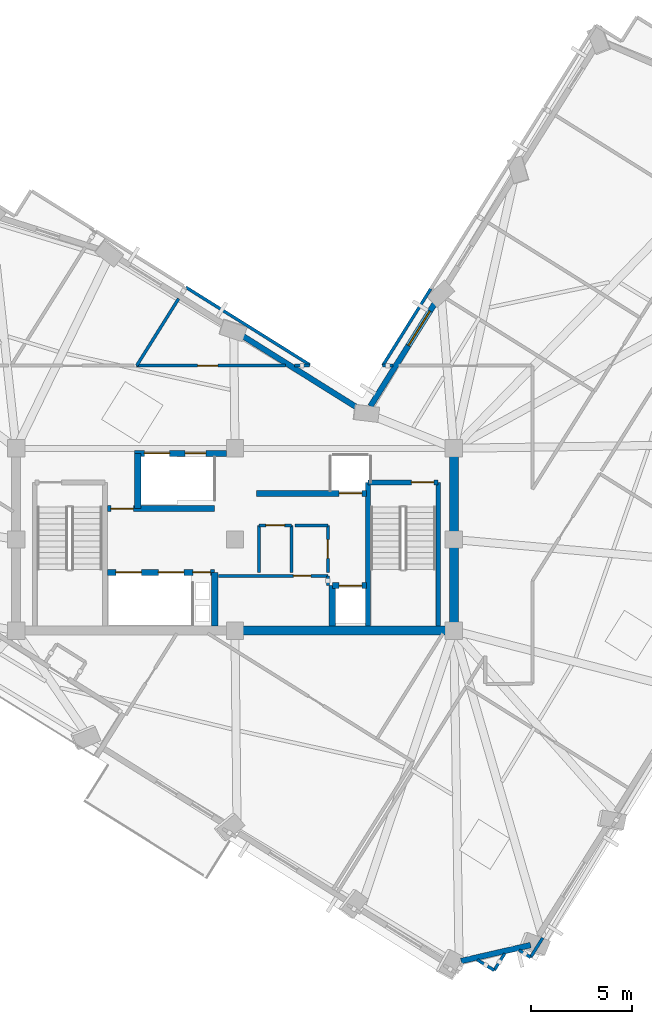
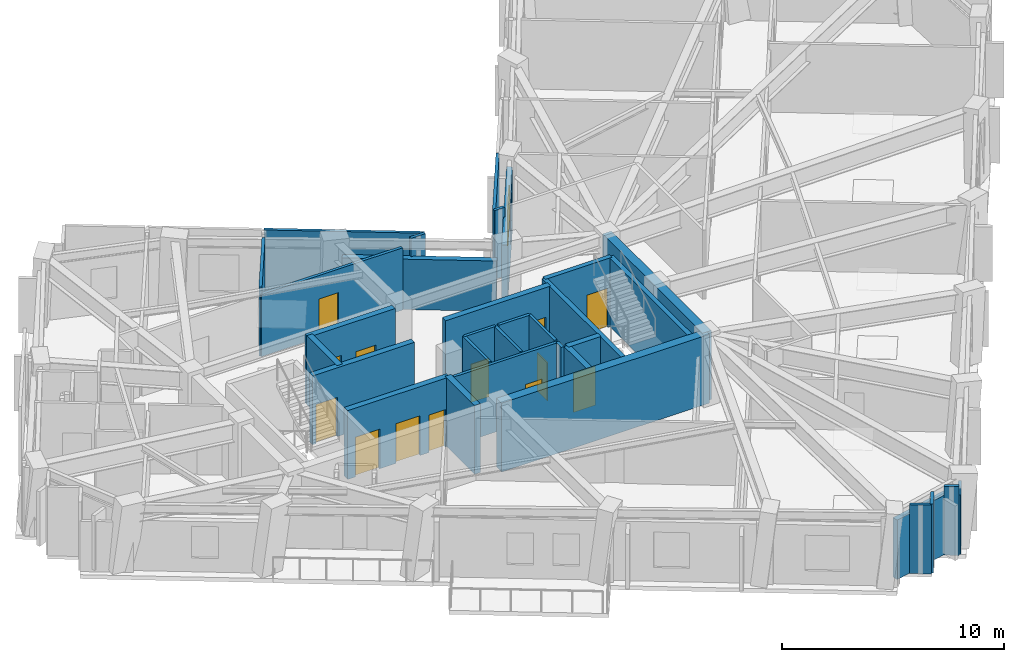
# One storey, part 6 of 12: 33 walls, 13 doors, 1 window, 14 openings.
"""IFC4 building model written with IfcOpenShell, lengths in metres."""

from ifc_helpers import new_model, si_unit, direction, frame, frame_2d, origin, place, context, subcontext, project, spatial, rectangle, extrude, material, layer, layer_set, type_object, element, fill, save


model = new_model("IFC4")

# Units and contexts
model_context = context("Model", 3, precision=1e-05, world=origin(), true_north=direction((0.0, 1.0)))
body_context = subcontext(model_context, "Body", "Model", "MODEL_VIEW")
ifc_project = project(units=[si_unit("LENGTHUNIT", "METRE"), si_unit("AREAUNIT", "SQUARE_METRE"), si_unit("VOLUMEUNIT", "CUBIC_METRE"), si_unit("PLANEANGLEUNIT", "RADIAN"), si_unit("MASSUNIT", "GRAM", prefix="KILO")], contexts=[model_context])

# Site, building, storey
site_placement = place(None, origin())
site = spatial("IfcSite", under=ifc_project, at=site_placement, CompositionType="ELEMENT")
building_placement = place(site_placement, origin())
building = spatial("IfcBuilding", under=site, at=building_placement, Name="Gaonmaruhae Medical Tower", CompositionType="ELEMENT")
storey_placement = place(building_placement, frame((0.0, 0.0, 272.60009765625)))
storey = spatial("IfcBuildingStorey", under=building, at=storey_placement, Name="L65", CompositionType="ELEMENT", Elevation=272.60009765625)

# Walls
ifc_material_1 = material(Name="Concrete C50/60", Category="concrete")
ifc_layer_1 = layer(ifc_material_1, 0.449951171875)
ifc_layer_set_1 = layer_set([ifc_layer_1], Name="Concrete C50/60")
wall_type_1 = type_object("IfcWallType", Name="CW-450 Upper Core Shear Wall", PredefinedType="SHEAR", material=ifc_layer_set_1)
wall_1_placement = place(storey_placement, frame((24.800048828125, 7.800048828125, 0.0), z_axis=(0.0, 0.0, 1.0), x_axis=(1.0, 0.0, 0.0)))
element("IfcWall", 1, at=wall_1_placement, inside=storey, type_object=wall_type_1, Name="L65 Core Shear Wall CSW-S2", PredefinedType="SHEAR", context=body_context, shape_type="SweptSolid", body=[
    extrude(rectangle(XDim=10.800048828125, YDim=0.449951171875, at=frame_2d((5.39990234375, 0.0))), origin(), (0.0, 0.0, 1.0), 3.77978515625),
])
wall_2_placement = place(storey_placement, frame((35.60009765625, 7.800048828125, 0.0), z_axis=(0.0, 0.0, 1.0), x_axis=(0.0, 1.0, 0.0)))
element("IfcWall", 2, at=wall_2_placement, inside=storey, type_object=wall_type_1, Name="L65 Core Shear Wall CSW-E1", PredefinedType="SHEAR", context=body_context, shape_type="SweptSolid", body=[
    extrude(rectangle(XDim=9.0, YDim=0.449951171875, at=frame_2d((4.5, 0.0))), origin(), (0.0, 0.0, 1.0), 3.77978515625),
])

# Wall, opening, window
ifc_material_2 = material(Name="Precast concrete C45/55", Category="concrete")
ifc_layer_2 = layer(ifc_material_2, 0.280029296875)
ifc_layer_set_2 = layer_set([ifc_layer_2], Name="Precast concrete C45/55")
wall_type_2 = type_object("IfcWallType", Name="EW-280 Upper Precast Masonry-Frame Facade Wall", PredefinedType="SOLIDWALL", material=ifc_layer_set_2)
wall_3_placement = place(storey_placement, frame((31.483642578125, 18.87548828125, 0.0), z_axis=(0.0, 0.0, 1.0), x_axis=(0.530640225781, 0.847597163034, 0.0)))
wall_3 = element("IfcWall", 3, at=wall_3_placement, inside=storey, type_object=wall_type_2, Name="L65 Precast Masonry-Frame Wall EN02-KN01", PredefinedType="SOLIDWALL", context=body_context, shape_type="SweptSolid", body=[
    extrude(rectangle(XDim=6.158203125, YDim=0.280029296875, at=frame_2d((3.0791015625, 0.0))), origin(), (0.0, 0.0, 1.0), 3.264892578125),
])
opening_1_placement = place(wall_3_placement, frame((3.538818359375, 0.0, 0.75)))
opening_1 = element("IfcOpeningElement", 4, at=opening_1_placement, cuts=wall_3, Name="Opening WN-02", PredefinedType="OPENING", context=body_context, shape_type="SweptSolid", body=[
    extrude(rectangle(XDim=2.0, YDim=1.949951171875, at=frame_2d((1.0, 0.97509765625))), frame((0.0, 0.14990234375, 0.0), z_axis=(0.0, -1.0, 0.0), x_axis=(1.0, 0.0, 0.0)), (0.0, 0.0, 1.0), 0.300048828125),
])
ifc_material_3 = material(Name="Anodised aluminium and Low-E double glazing", Category="aluminium")
window_type = type_object("IfcWindowType", Name="WN-02 Double-Bed Ward Punched Window 2000x1950", PartitioningType="SINGLE_PANEL", PredefinedType="WINDOW", material=ifc_material_3)
window_placement = place(opening_1_placement, origin())
window = element("IfcWindow", 5, at=window_placement, inside=storey, type_object=window_type, Name="L65 Modular Facade Window EN02", OverallHeight=1.949951171875, OverallWidth=2.0, PartitioningType="SINGLE_PANEL", PredefinedType="WINDOW", context=body_context, shape_type="SweptSolid", body=[
    extrude(rectangle(XDim=2.0, YDim=1.949951171875, at=frame_2d((1.0, 0.97509765625))), frame((0.0, 0.030029296875, 0.0), z_axis=(0.0, -1.0, 0.0), x_axis=(1.0, 0.0, 0.0)), (0.0, 0.0, 1.0), 0.06005859375),
])
fill(opening_1, window)

# Walls
wall_4_placement = place(storey_placement, frame((25.080078125, 22.406494140625, 0.0), z_axis=(0.0, 0.0, 1.0), x_axis=(0.847580141129, -0.530667414077, 0.0)))
element("IfcWall", 6, at=wall_4_placement, inside=storey, type_object=wall_type_2, Name="L65 Precast Masonry-Frame Wall KN01-NE01", PredefinedType="SOLIDWALL", context=body_context, shape_type="SweptSolid", body=[
    extrude(rectangle(XDim=6.9580078125, YDim=0.280029296875, at=frame_2d((3.47900390625, 0.0))), origin(), (0.0, 0.0, 1.0), 2.764892578125),
])
wall_5_placement = place(storey_placement, frame((39.389892578125, -7.716064453125, 0.0), z_axis=(0.0, 0.0, 1.0), x_axis=(-0.974576692361, -0.224054169135, 0.0)))
element("IfcWall", 7, at=wall_5_placement, inside=storey, type_object=wall_type_2, Name="L65 Precast Masonry-Frame Wall W06-S01", PredefinedType="SOLIDWALL", context=body_context, shape_type="SweptSolid", body=[
    extrude(rectangle(XDim=3.520751953125, YDim=0.280029296875, at=frame_2d((1.76025390625, 0.0))), origin(), (0.0, 0.0, 1.0), 3.264892578125),
])

# Wall, opening, door
ifc_material_4 = material(Name="Gypsum board partition", Category="gypsum")
ifc_layer_3 = layer(ifc_material_4, 0.14990234375)
ifc_layer_set_3 = layer_set([ifc_layer_3], Name="Gypsum board partition")
wall_type_3 = type_object("IfcWallType", Name="PW-150 Rated Clinical Corridor Partition", PredefinedType="PARTITIONING", material=ifc_layer_set_3)
wall_6_placement = place(storey_placement, frame((23.97998046875, 10.5, 0.0), z_axis=(0.0, 0.0, 1.0), x_axis=(1.0, 0.0, 0.0)))
wall_6 = element("IfcWall", 8, at=wall_6_placement, inside=storey, type_object=wall_type_3, Name="L65 Interior Partition L65-RCL1-1", PredefinedType="PARTITIONING", context=body_context, shape_type="SweptSolid", body=[
    extrude(rectangle(XDim=5.39990234375, YDim=0.14990234375, at=frame_2d((2.699951171875, 0.0))), origin(), (0.0, 0.0, 1.0), 3.77978515625),
])
opening_2_placement = place(wall_6_placement, frame((3.702880859375, 0.0, 0.0)))
opening_2 = element("IfcOpeningElement", 9, at=opening_2_placement, cuts=wall_6, Name="Opening AD-01", PredefinedType="OPENING", context=body_context, shape_type="SweptSolid", body=[
    extrude(rectangle(XDim=0.860107421875, YDim=2.06005859375, at=frame_2d((0.43017578125, 1.030029296875))), frame((0.0, 0.0849609375, 0.0), z_axis=(0.0, -1.0, 0.0), x_axis=(1.0, 0.0, 0.0)), (0.0, 0.0, 1.0), 0.169921875),
])
ifc_material_5 = material(Name="Powder-coated steel access door", Category="steel")
door_type_1 = type_object("IfcDoorType", Name="AD-01 Riser & Closet Access Fire Door 860x2060", OperationType="NOTDEFINED", PredefinedType="DOOR", material=ifc_material_5)
door_1_placement = place(opening_2_placement, origin())
door_1 = element("IfcDoor", 10, at=door_1_placement, inside=storey, type_object=door_type_1, Name="L65 Biomedical Infusion Preparation Room Sliding Door", OperationType="SLIDING_TO_LEFT", OverallHeight=2.06005859375, OverallWidth=0.860107421875, PredefinedType="DOOR", context=body_context, shape_type="SweptSolid", body=[
    extrude(rectangle(XDim=0.860107421875, YDim=2.06005859375, at=frame_2d((0.43017578125, 1.030029296875))), frame((0.0, 0.02490234375, 0.0), z_axis=(0.0, -1.0, 0.0), x_axis=(1.0, 0.0, 0.0)), (0.0, 0.0, 1.0), 0.050048828125),
])
fill(opening_2, door_1)

# Walls
wall_7_placement = place(storey_placement, frame((29.3798828125, 10.5, 0.0), z_axis=(0.0, 0.0, 1.0), x_axis=(0.0, -1.0, 0.0)))
element("IfcWall", 11, at=wall_7_placement, inside=storey, type_object=wall_type_3, Name="L65 Interior Partition L65-RCL1-2", PredefinedType="PARTITIONING", context=body_context, shape_type="SweptSolid", body=[
    extrude(rectangle(XDim=0.47998046875, YDim=0.14990234375, at=frame_2d((0.239990234375, 0.0))), origin(), (0.0, 0.0, 1.0), 3.77978515625),
])
wall_8_placement = place(storey_placement, frame((25.97998046875, 10.659912109375, 0.0), z_axis=(0.0, 0.0, 1.0), x_axis=(0.0, 1.0, 0.0)))
element("IfcWall", 12, at=wall_8_placement, inside=storey, type_object=wall_type_3, Name="L65 Interior Partition L65-CS1-3", PredefinedType="PARTITIONING", context=body_context, shape_type="SweptSolid", body=[
    extrude(rectangle(XDim=2.340087890625, YDim=0.14990234375, at=frame_2d((1.169921875, 0.0))), origin(), (0.0, 0.0, 1.0), 3.77978515625),
])

# Wall, opening, door
wall_9_placement = place(storey_placement, frame((25.97998046875, 13.0, 0.0), z_axis=(0.0, 0.0, 1.0), x_axis=(1.0, 0.0, 0.0)))
wall_9 = element("IfcWall", 13, at=wall_9_placement, inside=storey, type_object=wall_type_3, Name="L65 Interior Partition L65-CS1-4", PredefinedType="PARTITIONING", context=body_context, shape_type="SweptSolid", body=[
    extrude(rectangle(XDim=1.6201171875, YDim=0.14990234375, at=frame_2d((0.81005859375, 0.0))), origin(), (0.0, 0.0, 1.0), 3.77978515625),
])
opening_3_placement = place(wall_9_placement, frame((0.35009765625, 0.0, 0.0)))
opening_3 = element("IfcOpeningElement", 14, at=opening_3_placement, cuts=wall_9, Name="Opening UD-01", PredefinedType="OPENING", context=body_context, shape_type="SweptSolid", body=[
    extrude(rectangle(XDim=0.919921875, YDim=2.10009765625, at=frame_2d((0.4599609375, 1.050048828125))), frame((0.0, 0.0849609375, 0.0), z_axis=(0.0, -1.0, 0.0), x_axis=(1.0, 0.0, 0.0)), (0.0, 0.0, 1.0), 0.169921875),
])
ifc_material_6 = material(Name="Powder-coated steel utility door", Category="steel")
door_type_2 = type_object("IfcDoorType", Name="UD-01 Toilet, Utility & Housekeeping Door 920x2100", OperationType="NOTDEFINED", PredefinedType="DOOR", material=ifc_material_6)
door_2_placement = place(opening_3_placement, origin())
door_2 = element("IfcDoor", 15, at=door_2_placement, inside=storey, type_object=door_type_2, Name="L65 Accessible Staff Toilet Door", OperationType="SINGLE_SWING_LEFT", OverallHeight=2.10009765625, OverallWidth=0.919921875, PredefinedType="DOOR", context=body_context, shape_type="SweptSolid", body=[
    extrude(rectangle(XDim=0.919921875, YDim=2.10009765625, at=frame_2d((0.4599609375, 1.050048828125))), frame((0.0, 0.02490234375, 0.0), z_axis=(0.0, -1.0, 0.0), x_axis=(1.0, 0.0, 0.0)), (0.0, 0.0, 1.0), 0.050048828125),
])
fill(opening_3, door_2)

# Walls
wall_10_placement = place(storey_placement, frame((27.60009765625, 13.0, 0.0), z_axis=(0.0, 0.0, 1.0), x_axis=(0.0, -1.0, 0.0)))
element("IfcWall", 16, at=wall_10_placement, inside=storey, type_object=wall_type_3, Name="L65 Interior Partition L65-CS1-5", PredefinedType="PARTITIONING", context=body_context, shape_type="SweptSolid", body=[
    extrude(rectangle(XDim=2.340087890625, YDim=0.14990234375, at=frame_2d((1.169921875, 0.0))), origin(), (0.0, 0.0, 1.0), 3.77978515625),
])
wall_11_placement = place(storey_placement, frame((27.760009765625, 13.0, 0.0), z_axis=(0.0, 0.0, 1.0), x_axis=(1.0, 0.0, 0.0)))
element("IfcWall", 17, at=wall_11_placement, inside=storey, type_object=wall_type_3, Name="L65 Interior Partition L65-CS2-6", PredefinedType="PARTITIONING", context=body_context, shape_type="SweptSolid", body=[
    extrude(rectangle(XDim=1.619873046875, YDim=0.14990234375, at=frame_2d((0.81005859375, 0.0))), origin(), (0.0, 0.0, 1.0), 3.77978515625),
])

# Wall, opening, door
wall_12_placement = place(storey_placement, frame((29.3798828125, 13.0, 0.0), z_axis=(0.0, 0.0, 1.0), x_axis=(0.0, -1.0, 0.0)))
wall_12 = element("IfcWall", 18, at=wall_12_placement, inside=storey, type_object=wall_type_3, Name="L65 Interior Partition L65-CS2-7", PredefinedType="PARTITIONING", context=body_context, shape_type="SweptSolid", body=[
    extrude(rectangle(XDim=2.340087890625, YDim=0.14990234375, at=frame_2d((1.169921875, 0.0))), origin(), (0.0, 0.0, 1.0), 3.77978515625),
])
opening_4_placement = place(wall_12_placement, frame((0.7099609375, 0.0, 0.0)))
opening_4 = element("IfcOpeningElement", 19, at=opening_4_placement, cuts=wall_12, Name="Opening UD-01", PredefinedType="OPENING", context=body_context, shape_type="SweptSolid", body=[
    extrude(rectangle(XDim=0.919921875, YDim=2.10009765625, at=frame_2d((0.4599609375, 1.050048828125))), frame((0.0, 0.0849609375, 0.0), z_axis=(0.0, -1.0, 0.0), x_axis=(1.0, 0.0, 0.0)), (0.0, 0.0, 1.0), 0.169921875),
])
door_3_placement = place(opening_4_placement, origin())
door_3 = element("IfcDoor", 20, at=door_3_placement, inside=storey, type_object=door_type_2, Name="L65 Biomedical Telemetry Closet Door", OperationType="SINGLE_SWING_RIGHT", OverallHeight=2.10009765625, OverallWidth=0.919921875, PredefinedType="DOOR", context=body_context, shape_type="SweptSolid", body=[
    extrude(rectangle(XDim=0.919921875, YDim=2.10009765625, at=frame_2d((0.4599609375, 1.050048828125))), frame((0.0, 0.02490234375, 0.0), z_axis=(0.0, -1.0, 0.0), x_axis=(1.0, 0.0, 0.0)), (0.0, 0.0, 1.0), 0.050048828125),
])
fill(opening_4, door_3)

# Walls
wall_13_placement = place(storey_placement, frame((37.591064453125, -8.964111328125, 0.0), z_axis=(0.0, 0.0, 1.0), x_axis=(-0.847567548706, 0.530687526122, 0.0)))
element("IfcWall", 21, at=wall_13_placement, inside=storey, type_object=wall_type_3, Name="L65 Interior Partition L65-SUP01-8", PredefinedType="PARTITIONING", context=body_context, shape_type="SweptSolid", body=[
    extrude(rectangle(XDim=0.98779296875, YDim=0.14990234375, at=frame_2d((0.493896484375, 0.0))), origin(), (0.0, 0.0, 1.0), 3.77978515625),
])
wall_14_placement = place(storey_placement, frame((39.986083984375, -7.362060546875, 0.0), z_axis=(0.0, 0.0, 1.0), x_axis=(-0.530620753408, -0.847609353448, 0.0)))
element("IfcWall", 22, at=wall_14_placement, inside=storey, type_object=wall_type_3, Name="L65 Interior Partition L65-SUP01-15", PredefinedType="PARTITIONING", context=body_context, shape_type="SweptSolid", body=[
    extrude(rectangle(XDim=1.129150390625, YDim=0.14990234375, at=frame_2d((0.564453125, 0.0))), origin(), (0.0, 0.0, 1.0), 3.264892578125),
])
wall_15_placement = place(storey_placement, frame((39.386962890625, -8.319091796875, 0.0), z_axis=(0.0, 0.0, 1.0), x_axis=(-0.847792766563, 0.530327658117, 0.0)))
element("IfcWall", 23, at=wall_15_placement, inside=storey, type_object=wall_type_3, Name="L65 Interior Partition L65-SUP01-16", PredefinedType="PARTITIONING", context=body_context, shape_type="SweptSolid", body=[
    extrude(rectangle(XDim=0.66748046875, YDim=0.14990234375, at=frame_2d((0.333740234375, 0.0))), origin(), (0.0, 0.0, 1.0), 3.77978515625),
])
wall_16_placement = place(storey_placement, frame((38.114990234375, -8.126953125, 0.0), z_axis=(0.0, 0.0, 1.0), x_axis=(-0.530509926955, -0.847678722986, 0.0)))
element("IfcWall", 24, at=wall_16_placement, inside=storey, type_object=wall_type_3, Name="L65 Interior Partition L65-SUP01-17", PredefinedType="PARTITIONING", context=body_context, shape_type="SweptSolid", body=[
    extrude(rectangle(XDim=0.987548828125, YDim=0.14990234375, at=frame_2d((0.49365234375, 0.0))), origin(), (0.0, 0.0, 1.0), 3.77978515625),
])
wall_17_placement = place(storey_placement, frame((32.60302734375, 20.8798828125, 0.0), z_axis=(0.0, 0.0, 1.0), x_axis=(-1.0, 0.0, 0.0)))
element("IfcWall", 25, at=wall_17_placement, inside=storey, type_object=wall_type_3, Name="L65 Interior Partition L65-IE01-58", PredefinedType="PARTITIONING", context=body_context, shape_type="SweptSolid", body=[
    extrude(rectangle(XDim=0.512939453125, YDim=0.14990234375, at=frame_2d((0.25634765625, 0.0))), origin(), (0.0, 0.0, 1.0), 3.77978515625),
])
wall_18_placement = place(storey_placement, frame((32.090087890625, 20.8798828125, 0.0), z_axis=(0.0, 0.0, 1.0), x_axis=(0.530489684634, 0.847691391072, 0.0)))
element("IfcWall", 26, at=wall_18_placement, inside=storey, type_object=wall_type_3, Name="L65 Interior Partition L65-IE01-59", PredefinedType="PARTITIONING", context=body_context, shape_type="SweptSolid", body=[
    extrude(rectangle(XDim=4.470947265625, YDim=0.14990234375, at=frame_2d((2.2353515625, 0.0))), origin(), (0.0, 0.0, 1.0), 3.77978515625),
])
wall_19_placement = place(storey_placement, frame((28.47900390625, 20.8798828125, 0.0), z_axis=(0.0, 0.0, 1.0), x_axis=(-1.0, 0.0, 0.0)))
element("IfcWall", 27, at=wall_19_placement, inside=storey, type_object=wall_type_3, Name="L65 Interior Partition L65-IN01-63", PredefinedType="PARTITIONING", context=body_context, shape_type="SweptSolid", body=[
    extrude(rectangle(XDim=0.743896484375, YDim=0.14990234375, at=frame_2d((0.3720703125, 0.0))), origin(), (0.0, 0.0, 1.0), 3.77978515625),
])

# Wall, opening, door
wall_20_placement = place(storey_placement, frame((27.301025390625, 20.8798828125, 0.0), z_axis=(0.0, 0.0, 1.0), x_axis=(-1.0, 0.0, 0.0)))
wall_20 = element("IfcWall", 28, at=wall_20_placement, inside=storey, type_object=wall_type_3, Name="L65 Interior Partition L65-IN01-64", PredefinedType="PARTITIONING", context=body_context, shape_type="SweptSolid", body=[
    extrude(rectangle(XDim=7.35205078125, YDim=0.14990234375, at=frame_2d((3.676025390625, 0.0))), origin(), (0.0, 0.0, 1.0), 3.414794921875),
])
opening_5_placement = place(wall_20_placement, frame((3.349853515625, 0.0, 0.0)))
opening_5 = element("IfcOpeningElement", 29, at=opening_5_placement, cuts=wall_20, Name="Opening CD-01", PredefinedType="OPENING", context=body_context, shape_type="SweptSolid", body=[
    extrude(rectangle(XDim=1.0, YDim=2.1201171875, at=frame_2d((0.5, 1.06005859375))), frame((0.0, 0.0849609375, 0.0), z_axis=(0.0, -1.0, 0.0), x_axis=(1.0, 0.0, 0.0)), (0.0, 0.0, 1.0), 0.169921875),
])
ifc_material_7 = material(Name="Antimicrobial laminate timber fire door", Category="wood")
door_type_3 = type_object("IfcDoorType", Name="CD-01 Consultation & Physician Office Door 1000x2120", OperationType="NOTDEFINED", PredefinedType="DOOR", material=ifc_material_7)
door_4_placement = place(opening_5_placement, origin())
door_4 = element("IfcDoor", 30, at=door_4_placement, inside=storey, type_object=door_type_3, Name="L65 Physician Consultation Office Door", OperationType="SINGLE_SWING_LEFT", OverallHeight=2.1201171875, OverallWidth=1.0, PredefinedType="DOOR", context=body_context, shape_type="SweptSolid", body=[
    extrude(rectangle(XDim=1.0, YDim=2.1201171875, at=frame_2d((0.5, 1.06005859375))), frame((0.0, 0.02490234375, 0.0), z_axis=(0.0, -1.0, 0.0), x_axis=(1.0, 0.0, 0.0)), (0.0, 0.0, 1.0), 0.050048828125),
])
fill(opening_5, door_4)

# Walls
wall_21_placement = place(storey_placement, frame((19.948974609375, 20.8798828125, 0.0), z_axis=(0.0, 0.0, 1.0), x_axis=(0.530572539095, 0.847639534683, 0.0)))
element("IfcWall", 31, at=wall_21_placement, inside=storey, type_object=wall_type_3, Name="L65 Interior Partition L65-IN01-65", PredefinedType="PARTITIONING", context=body_context, shape_type="SweptSolid", body=[
    extrude(rectangle(XDim=3.901611328125, YDim=0.14990234375, at=frame_2d((1.95068359375, 0.0))), origin(), (0.0, 0.0, 1.0), 3.77978515625),
])
wall_22_placement = place(storey_placement, frame((22.3720703125, 24.75, 0.0), z_axis=(0.0, 0.0, 1.0), x_axis=(0.847664268659, -0.530533022194, 0.0)))
element("IfcWall", 32, at=wall_22_placement, inside=storey, type_object=wall_type_3, Name="L65 Interior Partition L65-IN01-67", PredefinedType="PARTITIONING", context=body_context, shape_type="SweptSolid", body=[
    extrude(rectangle(XDim=7.230224609375, YDim=0.14990234375, at=frame_2d((3.615234375, 0.0))), origin(), (0.0, 0.0, 1.0), 3.77978515625),
])

# Wall, opening, door
ifc_layer_4 = layer(ifc_material_1, 0.239990234375)
ifc_layer_set_4 = layer_set([ifc_layer_4], Name="Concrete C50/60")
wall_type_4 = type_object("IfcWallType", Name="SW-240 Dogleg Stair Tight Shaft Wall", PredefinedType="SOLIDWALL", material=ifc_layer_set_4)
wall_23_placement = place(storey_placement, frame((31.3701171875, 15.1201171875, 0.0), z_axis=(0.0, 0.0, 1.0), x_axis=(1.0, 0.0, 0.0)))
wall_23 = element("IfcWall", 33, at=wall_23_placement, inside=storey, type_object=wall_type_4, Name="L65 ST-02 Stair Shaft Wall SHW-ST-02-N", PredefinedType="SOLIDWALL", context=body_context, shape_type="SweptSolid", body=[
    extrude(rectangle(XDim=3.4599609375, YDim=0.239990234375, at=frame_2d((1.72998046875, 0.0))), origin(), (0.0, 0.0, 1.0), 3.77978515625),
])
opening_6_placement = place(wall_23_placement, frame((2.139892578125, 0.0, 0.0)))
opening_6 = element("IfcOpeningElement", 34, at=opening_6_placement, cuts=wall_23, Name="Opening FD-01", PredefinedType="OPENING", context=body_context, shape_type="SweptSolid", body=[
    extrude(rectangle(XDim=1.10009765625, YDim=2.14990234375, at=frame_2d((0.550048828125, 1.074951171875))), frame((0.0, 0.1298828125, 0.0), z_axis=(0.0, -1.0, 0.0), x_axis=(1.0, 0.0, 0.0)), (0.0, 0.0, 1.0), 0.260009765625),
])
ifc_material_8 = material(Name="Powder-coated steel fire door", Category="steel")
door_type_4 = type_object("IfcDoorType", Name="FD-01 Escape Stair Protected Fire Door 1100x2150", OperationType="NOTDEFINED", PredefinedType="DOOR", material=ifc_material_8)
door_5_placement = place(opening_6_placement, origin())
door_5 = element("IfcDoor", 35, at=door_5_placement, inside=storey, type_object=door_type_4, Name="L65 ST-02 Protected Escape Stair Door", OperationType="SINGLE_SWING_LEFT", OverallHeight=2.14990234375, OverallWidth=1.10009765625, PredefinedType="DOOR", context=body_context, shape_type="SweptSolid", body=[
    extrude(rectangle(XDim=1.10009765625, YDim=2.14990234375, at=frame_2d((0.550048828125, 1.074951171875))), frame((0.0, 0.02490234375, 0.0), z_axis=(0.0, -1.0, 0.0), x_axis=(1.0, 0.0, 0.0)), (0.0, 0.0, 1.0), 0.050048828125),
])
fill(opening_6, door_5)

# Walls
for number, where, z_axis, x_axis, name in (
    (36, (34.830078125, 15.1201171875, 0.0), (0.0, 0.0, 1.0), (0.0, -1.0, 0.0), "L65 ST-02 Stair Shaft Wall SHW-ST-02-E"),
    (37, (31.3701171875, 8.02490234375, 0.0), (0.0, 0.0, 1.0), (0.0, 1.0, 0.0), "L65 ST-02 Stair Shaft Wall SHW-ST-02-W"),
):
    element("IfcWall", number, at=place(storey_placement, frame(where, z_axis=z_axis, x_axis=x_axis)), inside=storey, type_object=wall_type_4, Name=name, PredefinedType="SOLIDWALL", context=body_context, shape_type="SweptSolid", body=[
        extrude(rectangle(XDim=7.09521484375, YDim=0.239990234375, at=frame_2d((3.547607421875, 0.0))), origin(), (0.0, 0.0, 1.0), 3.77978515625),
    ])

# Wall, openings, doors
ifc_layer_5 = layer(ifc_material_1, 0.300048828125)
ifc_layer_set_5 = layer_set([ifc_layer_5], Name="Concrete C50/60")
wall_type_5 = type_object("IfcWallType", Name="SW-300 Stair & Lift Hoistway Shaft Wall", PredefinedType="SOLIDWALL", material=ifc_layer_set_5)
wall_24_placement = place(storey_placement, frame((19.85009765625, 16.550048828125, 0.0), z_axis=(0.0, 0.0, 1.0), x_axis=(1.0, 0.0, 0.0)))
wall_24 = element("IfcWall", 38, at=wall_24_placement, inside=storey, type_object=wall_type_5, Name="L65 Core Shear Wall CSW-NB", PredefinedType="SOLIDWALL", context=body_context, shape_type="SweptSolid", body=[
    extrude(rectangle(XDim=4.52490234375, YDim=0.300048828125, at=frame_2d((2.262451171875, 0.0))), origin(), (0.0, 0.0, 1.0), 3.77978515625),
])
opening_7_placement = place(wall_24_placement, frame((0.47509765625, 0.0, 0.0)))
opening_7 = element("IfcOpeningElement", 39, at=opening_7_placement, cuts=wall_24, Name="Opening LD-F1", PredefinedType="OPENING", context=body_context, shape_type="SweptSolid", body=[
    extrude(rectangle(XDim=1.25, YDim=2.179931640625, at=frame_2d((0.625, 1.08984375))), frame((0.0, 0.16015625, 0.0), z_axis=(0.0, -1.0, 0.0), x_axis=(1.0, 0.0, 0.0)), (0.0, 0.0, 1.0), 0.320068359375),
])
opening_8_placement = place(wall_24_placement, frame((2.489990234375, 0.0, 0.0)))
opening_8 = element("IfcOpeningElement", 40, at=opening_8_placement, cuts=wall_24, Name="Opening LD-S1", PredefinedType="OPENING", context=body_context, shape_type="SweptSolid", body=[
    extrude(rectangle(XDim=1.02001953125, YDim=2.1201171875, at=frame_2d((0.510009765625, 1.06005859375))), frame((0.0, 0.16015625, 0.0), z_axis=(0.0, -1.0, 0.0), x_axis=(1.0, 0.0, 0.0)), (0.0, 0.0, 1.0), 0.320068359375),
])
ifc_material_9 = material(Name="Brushed stainless steel 316L landing door", Category="steel")
door_type_5 = type_object("IfcDoorType", Name="LD-F1 Firefighting & Bed Lift Sliding Landing Door 1250x2180", OperationType="NOTDEFINED", PredefinedType="DOOR", material=ifc_material_9)
door_6_placement = place(opening_7_placement, origin())
door_6 = element("IfcDoor", 41, at=door_6_placement, inside=storey, type_object=door_type_5, Name="L65 Service/Bed Lift Landing Door BDL-01", OperationType="DOUBLE_DOOR_SLIDING", OverallHeight=2.179931640625, OverallWidth=1.25, PredefinedType="DOOR", context=body_context, shape_type="SweptSolid", body=[
    extrude(rectangle(XDim=1.25, YDim=2.179931640625, at=frame_2d((0.625, 1.08984375))), frame((0.0, 0.02490234375, 0.0), z_axis=(0.0, -1.0, 0.0), x_axis=(1.0, 0.0, 0.0)), (0.0, 0.0, 1.0), 0.050048828125),
])
fill(opening_7, door_6)
ifc_material_10 = material(Name="Brushed stainless steel 304 landing door", Category="steel")
door_type_6 = type_object("IfcDoorType", Name="LD-S1 Service Lift Sliding Landing Door 1020x2120", OperationType="NOTDEFINED", PredefinedType="DOOR", material=ifc_material_10)
door_7_placement = place(opening_8_placement, origin())
door_7 = element("IfcDoor", 42, at=door_7_placement, inside=storey, type_object=door_type_6, Name="L65 Service/Bed Lift Landing Door SVL-01", OperationType="SLIDING_TO_LEFT", OverallHeight=2.1201171875, OverallWidth=1.02001953125, PredefinedType="DOOR", context=body_context, shape_type="SweptSolid", body=[
    extrude(rectangle(XDim=1.02001953125, YDim=2.1201171875, at=frame_2d((0.510009765625, 1.06005859375))), frame((0.0, 0.02490234375, 0.0), z_axis=(0.0, -1.0, 0.0), x_axis=(1.0, 0.0, 0.0)), (0.0, 0.0, 1.0), 0.050048828125),
])
fill(opening_8, door_7)

wall_25_placement = place(storey_placement, frame((18.5, 10.679931640625, 0.0), z_axis=(0.0, 0.0, 1.0), x_axis=(1.0, 0.0, 0.0)))
wall_25 = element("IfcWall", 43, at=wall_25_placement, inside=storey, type_object=wall_type_5, Name="L65 Shaft Enclosure Wall SHW-FFN", PredefinedType="SOLIDWALL", context=body_context, shape_type="SweptSolid", body=[
    extrude(rectangle(XDim=5.300048828125, YDim=0.300048828125, at=frame_2d((2.64990234375, 0.0))), origin(), (0.0, 0.0, 1.0), 3.77978515625),
])
opening_9_placement = place(wall_25_placement, frame((4.219970703125, 0.0, 0.0)))
opening_9 = element("IfcOpeningElement", 44, at=opening_9_placement, cuts=wall_25, Name="Opening AD-01", PredefinedType="OPENING", context=body_context, shape_type="SweptSolid", body=[
    extrude(rectangle(XDim=0.860107421875, YDim=2.06005859375, at=frame_2d((0.43017578125, 1.030029296875))), frame((0.0, 0.16015625, 0.0), z_axis=(0.0, -1.0, 0.0), x_axis=(1.0, 0.0, 0.0)), (0.0, 0.0, 1.0), 0.320068359375),
])
opening_10_placement = place(wall_25_placement, frame((0.425048828125, 0.0, 0.0)))
opening_10 = element("IfcOpeningElement", 45, at=opening_10_placement, cuts=wall_25, Name="Opening LD-F1", PredefinedType="OPENING", context=body_context, shape_type="SweptSolid", body=[
    extrude(rectangle(XDim=1.25, YDim=2.179931640625, at=frame_2d((0.625, 1.08984375))), frame((0.0, 0.16015625, 0.0), z_axis=(0.0, -1.0, 0.0), x_axis=(1.0, 0.0, 0.0)), (0.0, 0.0, 1.0), 0.320068359375),
])
opening_11_placement = place(wall_25_placement, frame((2.52490234375, 0.0, 0.0)))
opening_11 = element("IfcOpeningElement", 46, at=opening_11_placement, cuts=wall_25, Name="Opening LD-F1", PredefinedType="OPENING", context=body_context, shape_type="SweptSolid", body=[
    extrude(rectangle(XDim=1.25, YDim=2.179931640625, at=frame_2d((0.625, 1.08984375))), frame((0.0, 0.16015625, 0.0), z_axis=(0.0, -1.0, 0.0), x_axis=(1.0, 0.0, 0.0)), (0.0, 0.0, 1.0), 0.320068359375),
])
door_8_placement = place(opening_9_placement, origin())
door_8 = element("IfcDoor", 47, at=door_8_placement, inside=storey, type_object=door_type_1, Name="L65 Medical Gas and MEP Riser Access Door", OperationType="SINGLE_SWING_RIGHT", OverallHeight=2.06005859375, OverallWidth=0.860107421875, PredefinedType="DOOR", context=body_context, shape_type="SweptSolid", body=[
    extrude(rectangle(XDim=0.860107421875, YDim=2.06005859375, at=frame_2d((0.43017578125, 1.030029296875))), frame((0.0, 0.02490234375, 0.0), z_axis=(0.0, -1.0, 0.0), x_axis=(1.0, 0.0, 0.0)), (0.0, 0.0, 1.0), 0.050048828125),
])
fill(opening_9, door_8)
door_9_placement = place(opening_10_placement, origin())
door_9 = element("IfcDoor", 48, at=door_9_placement, inside=storey, type_object=door_type_5, Name="L65 Firefighting Lift Landing Door FFL-01", OperationType="DOUBLE_DOOR_SLIDING", OverallHeight=2.179931640625, OverallWidth=1.25, PredefinedType="DOOR", context=body_context, shape_type="SweptSolid", body=[
    extrude(rectangle(XDim=1.25, YDim=2.179931640625, at=frame_2d((0.625, 1.08984375))), frame((0.0, 0.02490234375, 0.0), z_axis=(0.0, -1.0, 0.0), x_axis=(1.0, 0.0, 0.0)), (0.0, 0.0, 1.0), 0.050048828125),
])
fill(opening_10, door_9)
door_10_placement = place(opening_11_placement, origin())
door_10 = element("IfcDoor", 49, at=door_10_placement, inside=storey, type_object=door_type_5, Name="L65 Firefighting Lift Landing Door FFL-02", OperationType="DOUBLE_DOOR_SLIDING", OverallHeight=2.179931640625, OverallWidth=1.25, PredefinedType="DOOR", context=body_context, shape_type="SweptSolid", body=[
    extrude(rectangle(XDim=1.25, YDim=2.179931640625, at=frame_2d((0.625, 1.08984375))), frame((0.0, 0.02490234375, 0.0), z_axis=(0.0, -1.0, 0.0), x_axis=(1.0, 0.0, 0.0)), (0.0, 0.0, 1.0), 0.050048828125),
])
fill(opening_11, door_10)

# Wall, opening, door
wall_26_placement = place(storey_placement, frame((18.5, 13.820068359375, 0.0), z_axis=(0.0, 0.0, 1.0), x_axis=(1.0, 0.0, 0.0)))
wall_26 = element("IfcWall", 50, at=wall_26_placement, inside=storey, type_object=wall_type_5, Name="L65 Shaft Enclosure Wall SHW-FFL", PredefinedType="SOLIDWALL", context=body_context, shape_type="SweptSolid", body=[
    extrude(rectangle(XDim=5.300048828125, YDim=0.300048828125, at=frame_2d((2.64990234375, 0.0))), origin(), (0.0, 0.0, 1.0), 3.77978515625),
])
opening_12_placement = place(wall_26_placement, frame((0.179931640625, 0.0, 0.0)))
opening_12 = element("IfcOpeningElement", 51, at=opening_12_placement, cuts=wall_26, Name="Opening FD-01", PredefinedType="OPENING", context=body_context, shape_type="SweptSolid", body=[
    extrude(rectangle(XDim=1.10009765625, YDim=2.14990234375, at=frame_2d((0.550048828125, 1.074951171875))), frame((0.0, 0.16015625, 0.0), z_axis=(0.0, -1.0, 0.0), x_axis=(1.0, 0.0, 0.0)), (0.0, 0.0, 1.0), 0.320068359375),
])
door_11_placement = place(opening_12_placement, origin())
door_11 = element("IfcDoor", 52, at=door_11_placement, inside=storey, type_object=door_type_4, Name="L65 Firefighting Lobby Smoke Door", OperationType="SINGLE_SWING_LEFT", OverallHeight=2.14990234375, OverallWidth=1.10009765625, PredefinedType="DOOR", context=body_context, shape_type="SweptSolid", body=[
    extrude(rectangle(XDim=1.10009765625, YDim=2.14990234375, at=frame_2d((0.550048828125, 1.074951171875))), frame((0.0, 0.02490234375, 0.0), z_axis=(0.0, -1.0, 0.0), x_axis=(1.0, 0.0, 0.0)), (0.0, 0.0, 1.0), 0.050048828125),
])
fill(opening_12, door_11)

# Walls
wall_27_placement = place(storey_placement, frame((23.800048828125, 8.02490234375, 0.0), z_axis=(0.0, 0.0, 1.0), x_axis=(0.0, 1.0, 0.0)))
element("IfcWall", 53, at=wall_27_placement, inside=storey, type_object=wall_type_5, Name="L65 Shaft Enclosure Wall SHW-FFE", PredefinedType="SOLIDWALL", context=body_context, shape_type="SweptSolid", body=[
    extrude(rectangle(XDim=2.655029296875, YDim=0.300048828125, at=frame_2d((1.32763671875, 0.0))), origin(), (0.0, 0.0, 1.0), 3.77978515625),
])
wall_28_placement = place(storey_placement, frame((20.0, 13.820068359375, 0.0), z_axis=(0.0, 0.0, 1.0), x_axis=(0.0, 1.0, 0.0)))
element("IfcWall", 54, at=wall_28_placement, inside=storey, type_object=wall_type_5, Name="L65 Shaft Enclosure Wall SHW-BDW", PredefinedType="SOLIDWALL", context=body_context, shape_type="SweptSolid", body=[
    extrude(rectangle(XDim=2.72998046875, YDim=0.300048828125, at=frame_2d((1.364990234375, 0.0))), origin(), (0.0, 0.0, 1.0), 3.77978515625),
])

# Wall, opening, door
wall_29_placement = place(storey_placement, frame((29.60009765625, 10.02001953125, 0.0), z_axis=(0.0, 0.0, 1.0), x_axis=(1.0, 0.0, 0.0)))
wall_29 = element("IfcWall", 55, at=wall_29_placement, inside=storey, type_object=wall_type_5, Name="L65 Shaft Enclosure Wall SHW-PLS", PredefinedType="SOLIDWALL", context=body_context, shape_type="SweptSolid", body=[
    extrude(rectangle(XDim=1.699951171875, YDim=0.300048828125, at=frame_2d((0.85009765625, 0.0))), origin(), (0.0, 0.0, 1.0), 3.77978515625),
])
opening_13_placement = place(wall_29_placement, frame((0.340087890625, 0.0, 0.0)))
opening_13 = element("IfcOpeningElement", 56, at=opening_13_placement, cuts=wall_29, Name="Opening LD-P1", PredefinedType="OPENING", context=body_context, shape_type="SweptSolid", body=[
    extrude(rectangle(XDim=1.1201171875, YDim=2.14990234375, at=frame_2d((0.56005859375, 1.074951171875))), frame((0.0, 0.16015625, 0.0), z_axis=(0.0, -1.0, 0.0), x_axis=(1.0, 0.0, 0.0)), (0.0, 0.0, 1.0), 0.320068359375),
])
door_type_7 = type_object("IfcDoorType", Name="LD-P1 Passenger Lift Sliding Landing Door 1120x2150", OperationType="NOTDEFINED", PredefinedType="DOOR", material=ifc_material_10)
door_12_placement = place(opening_13_placement, origin())
door_12 = element("IfcDoor", 57, at=door_12_placement, inside=storey, type_object=door_type_7, Name="L65 Passenger Lift Landing Door PL-H1", OperationType="DOUBLE_DOOR_SLIDING", OverallHeight=2.14990234375, OverallWidth=1.1201171875, PredefinedType="DOOR", context=body_context, shape_type="SweptSolid", body=[
    extrude(rectangle(XDim=1.1201171875, YDim=2.14990234375, at=frame_2d((0.56005859375, 1.074951171875))), frame((0.0, 0.02490234375, 0.0), z_axis=(0.0, -1.0, 0.0), x_axis=(1.0, 0.0, 0.0)), (0.0, 0.0, 1.0), 0.050048828125),
])
fill(opening_13, door_12)

# Wall
wall_30_placement = place(storey_placement, frame((29.60009765625, 8.02490234375, 0.0), z_axis=(0.0, 0.0, 1.0), x_axis=(0.0, 1.0, 0.0)))
element("IfcWall", 58, at=wall_30_placement, inside=storey, type_object=wall_type_5, Name="L65 Shaft Enclosure Wall SHW-PLD1", PredefinedType="SOLIDWALL", context=body_context, shape_type="SweptSolid", body=[
    extrude(rectangle(XDim=1.9951171875, YDim=0.300048828125, at=frame_2d((0.99755859375, 0.0))), origin(), (0.0, 0.0, 1.0), 3.77978515625),
])

# Wall, opening, door
wall_31_placement = place(storey_placement, frame((25.85009765625, 14.580078125, 0.0), z_axis=(0.0, 0.0, 1.0), x_axis=(1.0, 0.0, 0.0)))
wall_31 = element("IfcWall", 59, at=wall_31_placement, inside=storey, type_object=wall_type_5, Name="L65 Shaft Enclosure Wall SHW-PLN", PredefinedType="SOLIDWALL", context=body_context, shape_type="SweptSolid", body=[
    extrude(rectangle(XDim=5.449951171875, YDim=0.300048828125, at=frame_2d((2.72509765625, 0.0))), origin(), (0.0, 0.0, 1.0), 3.77978515625),
])
opening_14_placement = place(wall_31_placement, frame((4.090087890625, 0.0, 0.0)))
opening_14 = element("IfcOpeningElement", 60, at=opening_14_placement, cuts=wall_31, Name="Opening LD-P1", PredefinedType="OPENING", context=body_context, shape_type="SweptSolid", body=[
    extrude(rectangle(XDim=1.1201171875, YDim=2.14990234375, at=frame_2d((0.56005859375, 1.074951171875))), frame((0.0, 0.16015625, 0.0), z_axis=(0.0, -1.0, 0.0), x_axis=(1.0, 0.0, 0.0)), (0.0, 0.0, 1.0), 0.320068359375),
])
door_13_placement = place(opening_14_placement, origin())
door_13 = element("IfcDoor", 61, at=door_13_placement, inside=storey, type_object=door_type_7, Name="L65 Passenger Lift Landing Door PL-H2", OperationType="DOUBLE_DOOR_SLIDING", OverallHeight=2.14990234375, OverallWidth=1.1201171875, PredefinedType="DOOR", context=body_context, shape_type="SweptSolid", body=[
    extrude(rectangle(XDim=1.1201171875, YDim=2.14990234375, at=frame_2d((0.56005859375, 1.074951171875))), frame((0.0, 0.02490234375, 0.0), z_axis=(0.0, -1.0, 0.0), x_axis=(1.0, 0.0, 0.0)), (0.0, 0.0, 1.0), 0.050048828125),
])
fill(opening_14, door_13)

save(model, "model.ifc")
